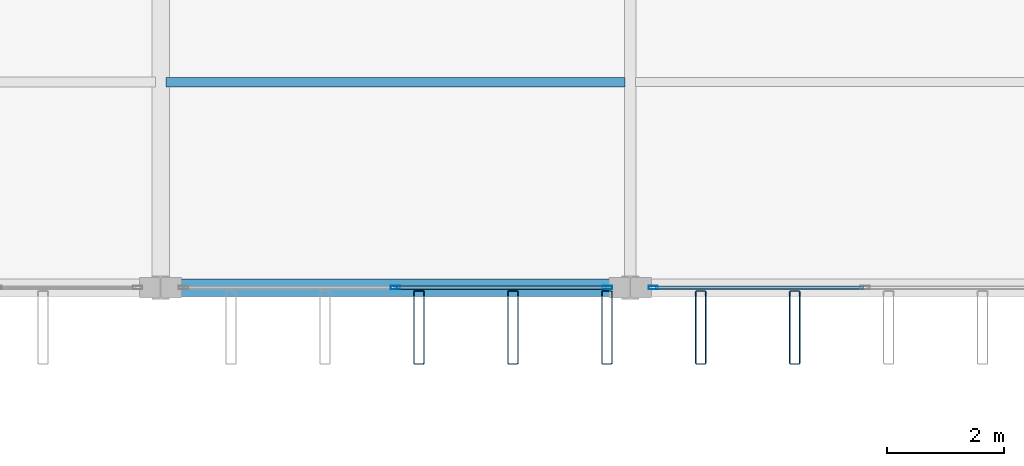
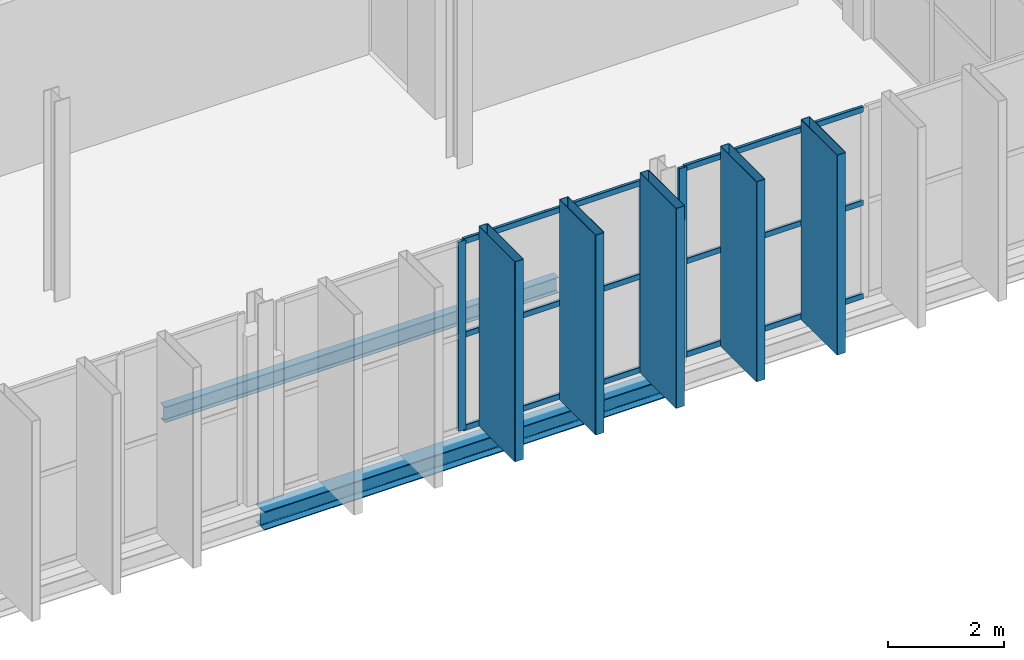
# One storey, part 32 of 101: 14 members, 2 beams, 2 elements without a shape of their own.
"""IFC4 building model written with IfcOpenShell, lengths in metres."""

import ifcopenshell
import ifcopenshell.guid

model = None  # the IFC model being written
_history = None  # IfcOwnerHistory: only IFC2X3 demands one
_inside = {}  # id of a spatial element -> (the spatial element, [elements in it])
_under = {}  # id of a project, library or spatial element -> (it, [spatial elements below it])
_declared = {}  # id of a project -> (the project, [libraries it declares])
_typed = {}  # id of a type object -> (the type object, [elements of that type])
_made_of = {}  # id of a material, layer set ... -> (it, [elements and type objects made of it])


def new_model(schema):
    """Start an empty IFC model of exactly this schema.

    Asked for "IFC4X3", IfcOpenShell would pick the latest addendum, in which some entities
    have other attributes; the version numbers below select the first issue.
    IFC2X3 requires an IfcOwnerHistory on every rooted entity: one is made here for all.
    """
    global model, _history
    if schema == "IFC4X3":
        model = ifcopenshell.file(schema_version=(4, 3, 0, 0))
    else:
        model = ifcopenshell.file(schema=schema)
    _inside.clear()
    _under.clear()
    _declared.clear()
    _typed.clear()
    _made_of.clear()
    _history = None
    if model.schema == "IFC2X3":
        org = make("IfcOrganization", Name="unknown")
        user = make(
            "IfcPersonAndOrganization",
            ThePerson=make("IfcPerson", FamilyName="unknown"),
            TheOrganization=org,
        )
        app = make(
            "IfcApplication",
            ApplicationDeveloper=org,
            Version="unknown",
            ApplicationFullName="unknown",
            ApplicationIdentifier="unknown",
        )
        _history = make(
            "IfcOwnerHistory",
            OwningUser=user,
            OwningApplication=app,
            ChangeAction="ADDED",
            CreationDate=0,
        )
    return model


def make(cls, **values):
    """One entity of the class cls with the attributes given. An attribute that is None is left unset."""
    return model.create_entity(
        cls, **{name: value for name, value in values.items() if value is not None}
    )


def rooted(cls, **values):
    """An entity with a GlobalId (a new one), such as an element, a storey or a relation."""
    return make(cls, GlobalId=ifcopenshell.guid.new(), OwnerHistory=_history, **values)


def si_unit(unit_type, name, prefix=None):
    """IfcSIUnit, for example si_unit("LENGTHUNIT", "METRE", prefix="MILLI")."""
    return make("IfcSIUnit", UnitType=unit_type, Prefix=prefix, Name=name)


def assignment(units):
    """IfcUnitAssignment: the units of a project."""
    return None if units is None else make("IfcUnitAssignment", Units=units)


def point(xyz):
    """IfcCartesianPoint."""
    return None if xyz is None else make("IfcCartesianPoint", Coordinates=xyz)


def direction(xyz):
    """IfcDirection."""
    return None if xyz is None else make("IfcDirection", DirectionRatios=xyz)


def frame(location, z_axis=None, x_axis=None):
    """IfcAxis2Placement3D, a coordinate frame: its origin and axes. An axis left out is left unset."""
    return make(
        "IfcAxis2Placement3D",
        Location=point(location),
        Axis=direction(z_axis),
        RefDirection=direction(x_axis),
    )


def frame_2d(location, x_axis=None):
    """IfcAxis2Placement2D, a coordinate frame in the plane: its origin and x axis."""
    return make(
        "IfcAxis2Placement2D", Location=point(location), RefDirection=direction(x_axis)
    )


def origin():
    """The frame at (0, 0, 0) with its axes left unset."""
    return frame((0.0, 0.0, 0.0))


def origin_2d():
    """The frame at (0, 0) in the plane with its x axis left unset."""
    return frame_2d((0.0, 0.0))


def place(relative_to, where):
    """IfcLocalPlacement: puts the frame where relative to a parent placement (None: the world)."""
    return make(
        "IfcLocalPlacement", PlacementRelTo=relative_to, RelativePlacement=where
    )


def context(
    kind, dimensions, precision=None, world=None, true_north=None, identifier=None
):
    """IfcGeometricRepresentationContext, for example the 3D "Model" context."""
    return make(
        "IfcGeometricRepresentationContext",
        ContextIdentifier=identifier,
        ContextType=kind,
        CoordinateSpaceDimension=dimensions,
        Precision=precision,
        WorldCoordinateSystem=world,
        TrueNorth=true_north,
    )


def subcontext(parent, identifier, kind, view, scale=None):
    """IfcGeometricRepresentationSubContext, for example "Body" below "Model"."""
    return make(
        "IfcGeometricRepresentationSubContext",
        ContextIdentifier=identifier,
        ContextType=kind,
        ParentContext=parent,
        TargetScale=scale,
        TargetView=view,
    )


def project(units=None, contexts=None):
    """IfcProject with its units and contexts."""
    return rooted(
        "IfcProject",
        Name="project",
        RepresentationContexts=contexts,
        UnitsInContext=assignment(units),
    )


def spatial(cls, under=None, at=None, **own):
    """A site, building, storey or space (cls), placed at a placement, below another one or the project."""
    s = rooted(cls, ObjectPlacement=at, **own)
    if under is not None:
        _under.setdefault(under.id(), (under, []))[1].append(s)
    return s


def profile(cls, at=None, kind="AREA", **sizes):
    """A parametric profile (cls). Its sizes go by their IFC names, for example OverallWidth=200.0."""
    return make(cls, ProfileType=kind, Position=at, **sizes)


def hollow_rectangle(**sizes):
    """IfcRectangleHollowProfileDef."""
    return profile("IfcRectangleHollowProfileDef", **sizes)


def i_section(**sizes):
    """IfcIShapeProfileDef."""
    return profile("IfcIShapeProfileDef", **sizes)


def extrude(swept, where, along, depth):
    """IfcExtrudedAreaSolid: the profile swept, set in the frame where, extruded along a direction by depth."""
    return make(
        "IfcExtrudedAreaSolid",
        SweptArea=swept,
        Position=where,
        ExtrudedDirection=direction(along),
        Depth=depth,
    )


def shape(context_of_items, identifier, shape_type, items):
    """IfcShapeRepresentation: the items that make up one representation, for example the "Body"."""
    return make(
        "IfcShapeRepresentation",
        ContextOfItems=context_of_items,
        RepresentationIdentifier=identifier,
        RepresentationType=shape_type,
        Items=items,
    )


def material(Name=None, Category=None):
    """IfcMaterial."""
    return make("IfcMaterial", Name=Name, Category=Category)


def layer(
    of_material, thickness, ventilated=None, Name=None, Category=None, Priority=None
):
    """IfcMaterialLayer: one layer of a wall or slab, of a material (None: an air gap)."""
    return make(
        "IfcMaterialLayer",
        Material=of_material,
        LayerThickness=thickness,
        IsVentilated=ventilated,
        Name=Name,
        Category=Category,
        Priority=Priority,
    )


def layer_set(layers, Name=None):
    """IfcMaterialLayerSet."""
    return make("IfcMaterialLayerSet", MaterialLayers=layers, LayerSetName=Name)


def material_profile(
    of_material, cross_section, Name=None, Category=None, Priority=None
):
    """IfcMaterialProfile: a cross section and its material."""
    return make(
        "IfcMaterialProfile",
        Name=Name,
        Material=of_material,
        Profile=cross_section,
        Priority=Priority,
        Category=Category,
    )


def profile_set(profiles, Name=None, composite=None):
    """IfcMaterialProfileSet."""
    return make(
        "IfcMaterialProfileSet",
        Name=Name,
        MaterialProfiles=profiles,
        CompositeProfile=composite,
    )


def made_of(thing, what):
    """Note that an element or type object is made of a material, layer set ...; save() writes the relation."""
    if what is not None:
        _made_of.setdefault(what.id(), (what, []))[1].append(thing)
    return thing


def type_object(cls, material=None, **own):
    """A type object (cls), such as IfcWallType, which elements share."""
    return made_of(rooted(cls, **own), material)


def element(
    cls,
    number,
    at=None,
    inside=None,
    cuts=None,
    type_object=None,
    material=None,
    context=None,
    identifier="Body",
    shape_type=None,
    held_by="IfcProductDefinitionShape",
    body=None,
    shapes=None,
    **own,
):
    """One element of the class cls, such as IfcWall. Its Tag is "e" and its number.

    at: its placement. inside: the storey or other place that contains it. cuts: it is an
    opening in that element (IfcRelVoidsElement). A single representation is given by context,
    identifier, shape_type and body (its items); several are given by shapes. held_by: the class
    of the entity that holds the representations. save() writes the other relations.
    """
    e = rooted(cls, Tag="e%d" % number, ObjectPlacement=at, **own)
    if body is not None:
        shapes = [shape(context, identifier, shape_type, body)]
    if shapes is not None:
        e.Representation = make(held_by, Representations=shapes)
    if inside is not None:
        _inside.setdefault(inside.id(), (inside, []))[1].append(e)
    if cuts is not None:
        rooted(
            "IfcRelVoidsElement", RelatingBuildingElement=cuts, RelatedOpeningElement=e
        )
    if type_object is not None:
        _typed.setdefault(type_object.id(), (type_object, []))[1].append(e)
    return made_of(e, material)


def aggregate(whole, parts):
    """IfcRelAggregates: a whole, such as a stair, and the parts it consists of."""
    return rooted("IfcRelAggregates", RelatingObject=whole, RelatedObjects=parts)


def save(model, path):
    """Write the relations noted so far, then the file.

    IfcRelAggregates (storeys below a building ...), IfcRelContainedInSpatialStructure (elements
    in a storey), IfcRelDefinesByType, IfcRelAssociatesMaterial and IfcRelDeclares: one each for
    every whole, place, type object, material and project.
    """
    for whole, parts in _under.values():
        aggregate(whole, parts)
    for where, things in _inside.values():
        rooted(
            "IfcRelContainedInSpatialStructure",
            RelatedElements=things,
            RelatingStructure=where,
        )
    for kind, things in _typed.values():
        rooted("IfcRelDefinesByType", RelatedObjects=things, RelatingType=kind)
    for what, things in _made_of.values():
        rooted("IfcRelAssociatesMaterial", RelatedObjects=things, RelatingMaterial=what)
    for by, libraries in _declared.values():
        rooted("IfcRelDeclares", RelatingContext=by, RelatedDefinitions=libraries)
    model.write(path)


model = new_model("IFC4")

# Units and contexts
model_context = context("Model", 3, precision=1e-05, world=origin(), true_north=direction((0.0, 1.0)))
body_context = subcontext(model_context, "Body", "Model", "MODEL_VIEW")
ifc_project = project(units=[si_unit("LENGTHUNIT", "METRE"), si_unit("AREAUNIT", "SQUARE_METRE"), si_unit("VOLUMEUNIT", "CUBIC_METRE"), si_unit("PLANEANGLEUNIT", "RADIAN"), si_unit("MASSUNIT", "GRAM", prefix="KILO")], contexts=[model_context])

# Site, building, storey
site_placement = place(None, origin())
site = spatial("IfcSite", under=ifc_project, at=site_placement, CompositionType="ELEMENT")
building_placement = place(site_placement, origin())
building = spatial("IfcBuilding", under=site, at=building_placement, Name="Vekula Escarpment Museum", CompositionType="ELEMENT")
storey_placement = place(building_placement, frame((0.0, 0.0, 18.0)))
storey = spatial("IfcBuildingStorey", under=building, at=storey_placement, Name="L04", CompositionType="ELEMENT", Elevation=18.0)

# Beams
ifc_material_1 = material(Name="Steel S355", Category="steel")
ifc_material_profile_1 = material_profile(ifc_material_1, i_section(OverallWidth=0.159912109375, OverallDepth=0.330078125, WebThickness=0.007568359375, FlangeThickness=0.011474609375, FilletRadius=0.01806640625, at=origin_2d()), Name="IPE 330")
ifc_profile_set_1 = profile_set([ifc_material_profile_1], Name="Steel S355")
beam_type_1 = type_object("IfcBeamType", Name="BM-JST-IPE330", PredefinedType="JOIST", material=ifc_profile_set_1)
beam_1_placement = place(storey_placement, frame((110.090087890625, 49.10009765625, -0.405029296875), z_axis=(1.0, 0.0, 0.0), x_axis=(0.0, 1.0, 0.0)))
element("IfcBeam", 1, at=beam_1_placement, inside=storey, type_object=beam_type_1, Name="Secondary Joist L04 1223", PredefinedType="JOIST", context=body_context, shape_type="SweptSolid", body=[
    extrude(i_section(OverallWidth=0.159912109375, OverallDepth=0.330078125, WebThickness=0.007568359375, FlangeThickness=0.011474609375, FilletRadius=0.01806640625, at=origin_2d()), origin(), (0.0, 0.0, 1.0), 7.81982421875),
])
ifc_material_2 = material(Name="Steel S355", Category="steel")
ifc_material_profile_2 = material_profile(ifc_material_2, i_section(OverallWidth=0.300048828125, OverallDepth=0.389892578125, WebThickness=0.010986328125, FlangeThickness=0.01904296875, FilletRadius=0.027099609375, at=origin_2d()), Name="HEA 400")
ifc_profile_set_2 = profile_set([ifc_material_profile_2], Name="Steel S355")
beam_type_2 = type_object("IfcBeamType", Name="BM-SPAN-HEA400", PredefinedType="SPANDREL", material=ifc_profile_set_2)
beam_2_placement = place(storey_placement, frame((110.0, 45.60009765625, -0.43505859375), z_axis=(1.0, 0.0, 0.0), x_axis=(0.0, 1.0, 0.0)))
element("IfcBeam", 2, at=beam_2_placement, inside=storey, type_object=beam_type_2, Name="Beam X L04 1688", PredefinedType="SPANDREL", context=body_context, shape_type="SweptSolid", body=[
    extrude(i_section(OverallWidth=0.300048828125, OverallDepth=0.389892578125, WebThickness=0.010986328125, FlangeThickness=0.01904296875, FilletRadius=0.027099609375, at=origin_2d()), origin(), (0.0, 0.0, 1.0), 8.0),
])

# Curtain wall, members
ifc_material_3 = material(Name="Aluminium thermally broken framing", Category="aluminium")
ifc_layer_1 = layer(ifc_material_3, 0.179931640625)
ifc_layer_set_1 = layer_set([ifc_layer_1], Name="Aluminium thermally broken framing")
curtain_wall_type_1 = type_object("IfcCurtainWallType", Name="CW-SYS-07", PredefinedType="NOTDEFINED", material=ifc_layer_set_1)
curtain_wall_1_placement = place(storey_placement, origin())
curtain_wall_1 = element("IfcCurtainWall", 3, at=curtain_wall_1_placement, inside=storey, type_object=curtain_wall_type_1, Name="Curtain Wall CW-L04-137", PredefinedType="NOTDEFINED")
ifc_material_4 = material(Name="Aluminium anodized mullion", Category="aluminium")
ifc_material_profile_3 = material_profile(ifc_material_4, hollow_rectangle(XDim=0.06005859375, YDim=0.159912109375, WallThickness=0.00390625, InnerFilletRadius=0.00390625, OuterFilletRadius=0.008056640625, at=origin_2d()), Name="ALU 160x60x4")
ifc_profile_set_3 = profile_set([ifc_material_profile_3], Name="Aluminium anodized mullion")
member_type_1 = type_object("IfcMemberType", Name="CW-MUL-160", PredefinedType="MULLION", material=ifc_profile_set_3)
member_1_placement = place(storey_placement, frame((114.0, 45.60009765625, 0.0), z_axis=(0.0, 0.0, 1.0), x_axis=(0.0, 1.0, 0.0)))
member_1 = element("IfcMember", 4, at=member_1_placement, type_object=member_type_1, Name="CW-07 mullion 2", PredefinedType="MULLION", context=body_context, shape_type="SweptSolid", body=[
    extrude(hollow_rectangle(XDim=0.06005859375, YDim=0.159912109375, WallThickness=0.00390625, InnerFilletRadius=0.00390625, OuterFilletRadius=0.008056640625, at=origin_2d()), origin(), (0.0, 0.0, 1.0), 3.97998046875),
])
member_2_placement = place(storey_placement, frame((117.610107421875, 45.60009765625, 0.0), z_axis=(0.0, 0.0, 1.0), x_axis=(0.0, 1.0, 0.0)))
member_2 = element("IfcMember", 5, at=member_2_placement, type_object=member_type_1, Name="CW-07 mullion 3", PredefinedType="MULLION", context=body_context, shape_type="SweptSolid", body=[
    extrude(hollow_rectangle(XDim=0.06005859375, YDim=0.159912109375, WallThickness=0.00390625, InnerFilletRadius=0.00390625, OuterFilletRadius=0.008056640625, at=origin_2d()), origin(), (0.0, 0.0, 1.0), 3.97998046875),
])

# Curtain wall, member
ifc_material_5 = material(Name="Aluminium thermally broken framing", Category="aluminium")
ifc_layer_2 = layer(ifc_material_5, 0.179931640625)
ifc_layer_set_2 = layer_set([ifc_layer_2], Name="Aluminium thermally broken framing")
curtain_wall_type_2 = type_object("IfcCurtainWallType", Name="CW-SYS-08", PredefinedType="NOTDEFINED", material=ifc_layer_set_2)
curtain_wall_2_placement = place(storey_placement, origin())
curtain_wall_2 = element("IfcCurtainWall", 6, at=curtain_wall_2_placement, inside=storey, type_object=curtain_wall_type_2, Name="Curtain Wall CW-L04-138", PredefinedType="NOTDEFINED")
member_3_placement = place(storey_placement, frame((118.389892578125, 45.60009765625, 0.0), z_axis=(0.0, 0.0, 1.0), x_axis=(0.0, 1.0, 0.0)))
member_3 = element("IfcMember", 7, at=member_3_placement, type_object=member_type_1, Name="CW-08 mullion 1", PredefinedType="MULLION", context=body_context, shape_type="SweptSolid", body=[
    extrude(hollow_rectangle(XDim=0.06005859375, YDim=0.159912109375, WallThickness=0.00390625, InnerFilletRadius=0.00390625, OuterFilletRadius=0.008056640625, at=origin_2d()), origin(), (0.0, 0.0, 1.0), 3.97998046875),
])

# Member
ifc_material_6 = material(Name="Aluminium anodized transom", Category="aluminium")
ifc_material_profile_4 = material_profile(ifc_material_6, hollow_rectangle(XDim=0.06005859375, YDim=0.1201171875, WallThickness=0.00390625, InnerFilletRadius=0.00390625, OuterFilletRadius=0.008056640625, at=origin_2d()), Name="ALU 120x60x4")
ifc_profile_set_4 = profile_set([ifc_material_profile_4], Name="Aluminium anodized transom")
member_type_2 = type_object("IfcMemberType", Name="CW-TRN-120", PredefinedType="USERDEFINED", material=ifc_profile_set_4)
member_4_placement = place(storey_placement, frame((114.030029296875, 45.60009765625, 0.030029296875), z_axis=(1.0, 0.0, 0.0), x_axis=(0.0, 1.0, 0.0)))
member_4 = element("IfcMember", 8, at=member_4_placement, type_object=member_type_2, Name="CW-07 transom 2.1", ObjectType="TRANSOM", PredefinedType="USERDEFINED", context=body_context, shape_type="SweptSolid", body=[
    extrude(hollow_rectangle(XDim=0.06005859375, YDim=0.1201171875, WallThickness=0.00390625, InnerFilletRadius=0.00390625, OuterFilletRadius=0.008056640625, at=origin_2d()), origin(), (0.0, 0.0, 1.0), 3.550048828125),
])

member_5_placement = place(storey_placement, frame((114.030029296875, 45.60009765625, 1.989990234375), z_axis=(1.0, 0.0, 0.0), x_axis=(0.0, 1.0, 0.0)))
member_5 = element("IfcMember", 9, at=member_5_placement, type_object=member_type_2, Name="CW-07 transom 2.2", ObjectType="TRANSOM", PredefinedType="USERDEFINED", context=body_context, shape_type="SweptSolid", body=[
    extrude(hollow_rectangle(XDim=0.06005859375, YDim=0.1201171875, WallThickness=0.00390625, InnerFilletRadius=0.00390625, OuterFilletRadius=0.008056640625, at=origin_2d()), origin(), (0.0, 0.0, 1.0), 3.550048828125),
])

member_6_placement = place(storey_placement, frame((114.030029296875, 45.60009765625, 3.949951171875), z_axis=(1.0, 0.0, 0.0), x_axis=(0.0, 1.0, 0.0)))
member_6 = element("IfcMember", 10, at=member_6_placement, type_object=member_type_2, Name="CW-07 transom 2.3", ObjectType="TRANSOM", PredefinedType="USERDEFINED", context=body_context, shape_type="SweptSolid", body=[
    extrude(hollow_rectangle(XDim=0.06005859375, YDim=0.1201171875, WallThickness=0.00390625, InnerFilletRadius=0.00390625, OuterFilletRadius=0.008056640625, at=origin_2d()), origin(), (0.0, 0.0, 1.0), 3.550048828125),
])

aggregate(curtain_wall_1, [member_1, member_2, member_4, member_5, member_6])

member_7_placement = place(storey_placement, frame((118.419921875, 45.60009765625, 0.030029296875), z_axis=(1.0, 0.0, 0.0), x_axis=(0.0, 1.0, 0.0)))
member_7 = element("IfcMember", 11, at=member_7_placement, type_object=member_type_2, Name="CW-08 transom 1.1", ObjectType="TRANSOM", PredefinedType="USERDEFINED", context=body_context, shape_type="SweptSolid", body=[
    extrude(hollow_rectangle(XDim=0.06005859375, YDim=0.1201171875, WallThickness=0.00390625, InnerFilletRadius=0.00390625, OuterFilletRadius=0.008056640625, at=origin_2d()), origin(), (0.0, 0.0, 1.0), 3.550048828125),
])

member_8_placement = place(storey_placement, frame((118.419921875, 45.60009765625, 1.989990234375), z_axis=(1.0, 0.0, 0.0), x_axis=(0.0, 1.0, 0.0)))
member_8 = element("IfcMember", 12, at=member_8_placement, type_object=member_type_2, Name="CW-08 transom 1.2", ObjectType="TRANSOM", PredefinedType="USERDEFINED", context=body_context, shape_type="SweptSolid", body=[
    extrude(hollow_rectangle(XDim=0.06005859375, YDim=0.1201171875, WallThickness=0.00390625, InnerFilletRadius=0.00390625, OuterFilletRadius=0.008056640625, at=origin_2d()), origin(), (0.0, 0.0, 1.0), 3.550048828125),
])

member_9_placement = place(storey_placement, frame((118.419921875, 45.60009765625, 3.949951171875), z_axis=(1.0, 0.0, 0.0), x_axis=(0.0, 1.0, 0.0)))
member_9 = element("IfcMember", 13, at=member_9_placement, type_object=member_type_2, Name="CW-08 transom 1.3", ObjectType="TRANSOM", PredefinedType="USERDEFINED", context=body_context, shape_type="SweptSolid", body=[
    extrude(hollow_rectangle(XDim=0.06005859375, YDim=0.1201171875, WallThickness=0.00390625, InnerFilletRadius=0.00390625, OuterFilletRadius=0.008056640625, at=origin_2d()), origin(), (0.0, 0.0, 1.0), 3.550048828125),
])

aggregate(curtain_wall_2, [member_3, member_7, member_8, member_9])

# Members
ifc_material_7 = material(Name="Steel S355 weathered bronze solar fin", Category="steel")
ifc_material_profile_5 = material_profile(ifc_material_7, hollow_rectangle(XDim=0.179931640625, YDim=1.25, WallThickness=0.010009765625, InnerFilletRadius=0.010009765625, OuterFilletRadius=0.02001953125, at=origin_2d()), Name="RHS 1250x180x10")
ifc_profile_set_5 = profile_set([ifc_material_profile_5], Name="Steel S355 weathered bronze solar fin")
member_type_3 = type_object("IfcMemberType", Name="MB-SOLAR-FIN", PredefinedType="USERDEFINED", material=ifc_profile_set_5)
for number, where, z_axis, x_axis, name in (
    (14, (114.39990234375, 44.919921875, 0.0), (0.0, 0.0, 1.0), (1.0, 0.0, 0.0), "Great Hall Vertical Solar Fin 0099"),
    (15, (116.0, 44.919921875, 0.0), (0.0, 0.0, 1.0), (1.0, 0.0, 0.0), "Great Hall Vertical Solar Fin 0104"),
    (16, (117.60009765625, 44.919921875, 0.0), (0.0, 0.0, 1.0), (1.0, 0.0, 0.0), "Great Hall Vertical Solar Fin 0109"),
    (17, (119.199951171875, 44.919921875, 0.0), (0.0, 0.0, 1.0), (1.0, 0.0, 0.0), "Great Hall Vertical Solar Fin 0114"),
    (18, (120.800048828125, 44.919921875, 0.0), (0.0, 0.0, 1.0), (1.0, 0.0, 0.0), "Great Hall Vertical Solar Fin 0119"),
):
    element("IfcMember", number, at=place(storey_placement, frame(where, z_axis=z_axis, x_axis=x_axis)), inside=storey, type_object=member_type_3, Name=name, ObjectType="SOLAR FIN", PredefinedType="USERDEFINED", context=body_context, shape_type="SweptSolid", body=[
        extrude(hollow_rectangle(XDim=0.179931640625, YDim=1.25, WallThickness=0.010009765625, InnerFilletRadius=0.010009765625, OuterFilletRadius=0.02001953125, at=origin_2d()), origin(), (0.0, 0.0, 1.0), 4.199951171875),
    ])

save(model, "model.ifc")
